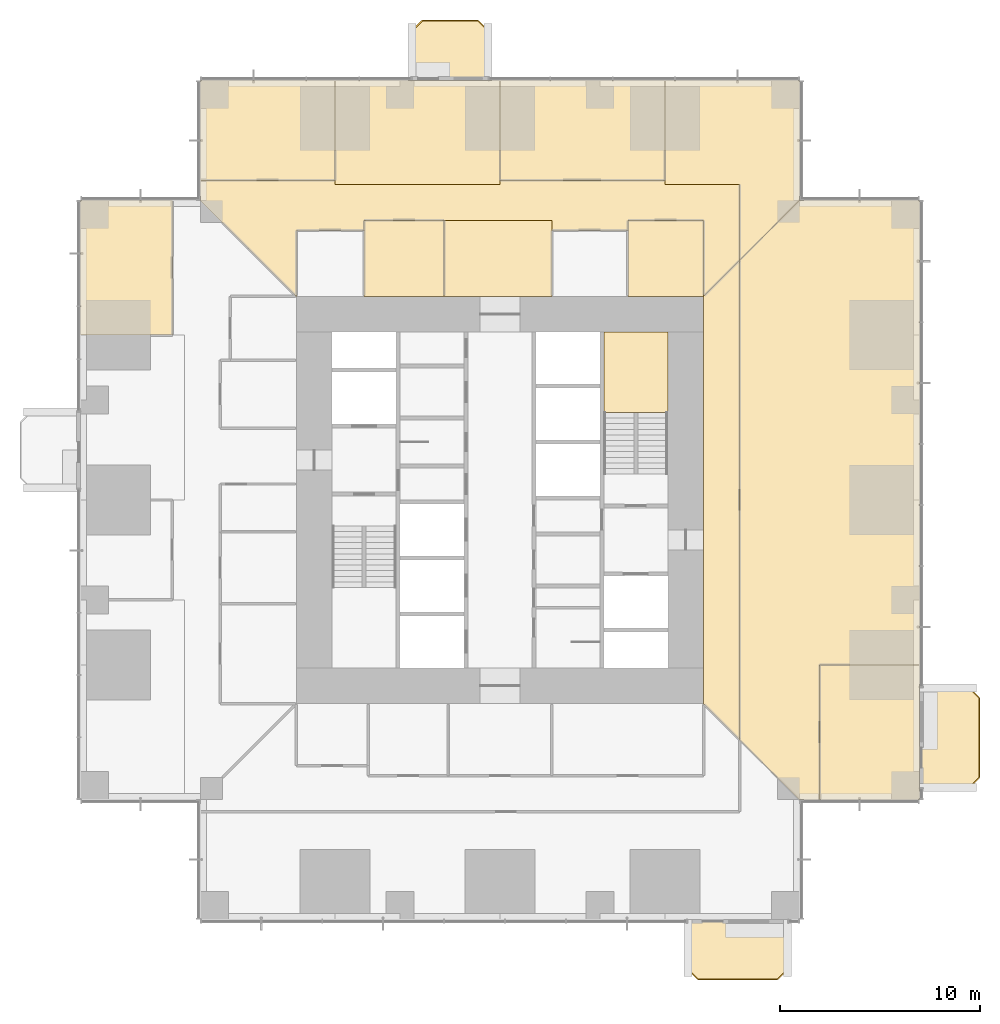
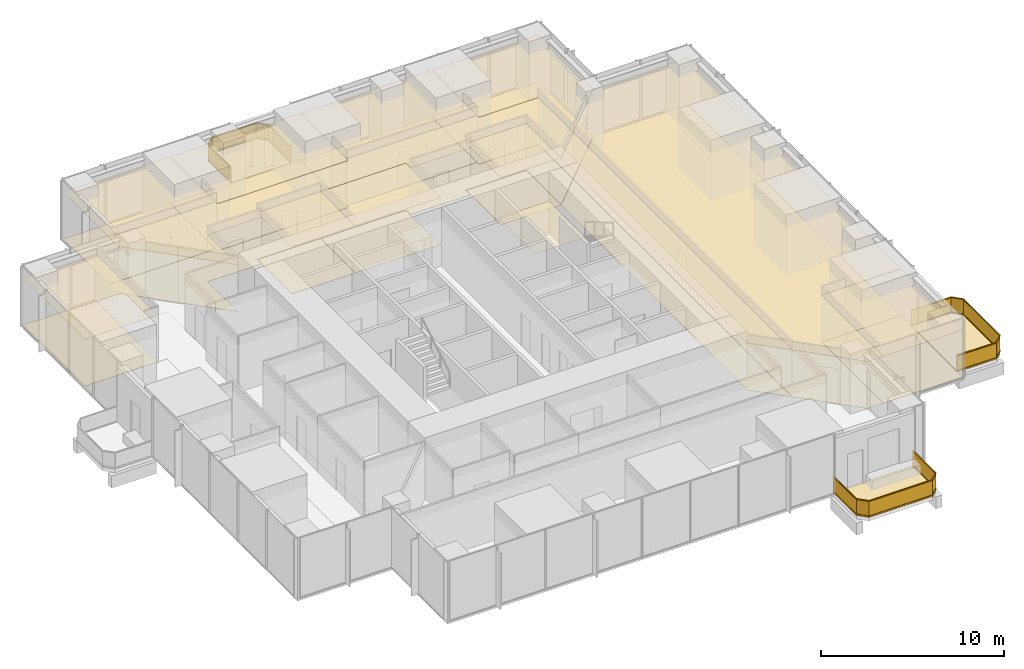
# One storey, part 14 of 15: 28 coverings, 3 railings.
"""IFC4 building model written with IfcOpenShell, lengths in metres."""

from ifc_helpers import new_model, si_unit, direction, frame, origin, origin_2d, place, context, subcontext, project, spatial, polyline, rectangle, outline, extrude, material, layer, layer_set, type_object, element, save


model = new_model("IFC4")

# Units and contexts
model_context = context("Model", 3, precision=1e-05, world=origin(), true_north=direction((0.0, 1.0)))
body_context = subcontext(model_context, "Body", "Model", "MODEL_VIEW")
ifc_project = project(units=[si_unit("LENGTHUNIT", "METRE"), si_unit("AREAUNIT", "SQUARE_METRE"), si_unit("VOLUMEUNIT", "CUBIC_METRE"), si_unit("PLANEANGLEUNIT", "RADIAN"), si_unit("MASSUNIT", "GRAM", prefix="KILO")], contexts=[model_context])

# Site, building, storey
site_placement = place(None, origin())
site = spatial("IfcSite", under=ifc_project, at=site_placement, CompositionType="ELEMENT")
building_placement = place(site_placement, origin())
building = spatial("IfcBuilding", under=site, at=building_placement, Name="Svetlomir Tower", CompositionType="ELEMENT")
storey_placement = place(building_placement, frame((0.0, 0.0, 34.5)))
storey = spatial("IfcBuildingStorey", under=building, at=storey_placement, Name="L07", CompositionType="ELEMENT", Elevation=34.5)

# Railings
ifc_material_1 = material(Name="Bronze anodised aluminium and laminated glass", Category="aluminium")
railing_type = type_object("IfcRailingType", Name="BALCONY GUARD GR1 1100", PredefinedType="GUARDRAIL", material=ifc_material_1)
railing_1_placement = place(storey_placement, frame((30.39990234375, 0.0, 0.0)))
element("IfcRailing", 1, at=railing_1_placement, inside=storey, type_object=railing_type, Name="Balcony guard S L07", PredefinedType="GUARDRAIL", context=body_context, shape_type="SweptSolid", body=[
    extrude(rectangle(XDim=0.06005859375, YDim=0.10009765625, at=origin_2d()), frame((0.0, 0.0, 0.050048828125), z_axis=(0.0, -1.0, 0.0), x_axis=(1.0, 0.0, 0.0)), (0.0, 0.0, 1.0), 2.5),
    extrude(rectangle(XDim=0.021484375, YDim=0.960205078125, at=origin_2d()), frame((0.0, 0.0, 0.580078125), z_axis=(0.0, -1.0, 0.0), x_axis=(1.0, 0.0, 0.0)), (0.0, 0.0, 1.0), 2.5),
    extrude(rectangle(XDim=0.06005859375, YDim=0.0400390625, at=origin_2d()), frame((0.0, 0.0, 1.080078125), z_axis=(0.0, -1.0, 0.0), x_axis=(1.0, 0.0, 0.0)), (0.0, 0.0, 1.0), 2.5),
    extrude(rectangle(XDim=0.06005859375, YDim=0.10009765625, at=origin_2d()), frame((0.0, -2.5, 0.050048828125), z_axis=(0.707106781187, -0.707106781187, 0.0), x_axis=(0.707106781187, 0.707106781187, 0.0)), (0.0, 0.0, 1.0), 0.70703125),
    extrude(rectangle(XDim=0.021484375, YDim=0.960205078125, at=origin_2d()), frame((0.0, -2.5, 0.580078125), z_axis=(0.707106781187, -0.707106781187, 0.0), x_axis=(0.707106781187, 0.707106781187, 0.0)), (0.0, 0.0, 1.0), 0.70703125),
    extrude(rectangle(XDim=0.06005859375, YDim=0.0400390625, at=origin_2d()), frame((0.0, -2.5, 1.080078125), z_axis=(0.707106781187, -0.707106781187, 0.0), x_axis=(0.707106781187, 0.707106781187, 0.0)), (0.0, 0.0, 1.0), 0.70703125),
    extrude(rectangle(XDim=0.06005859375, YDim=0.10009765625, at=origin_2d()), frame((0.5, -3.0, 0.050048828125), z_axis=(1.0, 0.0, 0.0), x_axis=(0.0, 1.0, 0.0)), (0.0, 0.0, 1.0), 4.0),
    extrude(rectangle(XDim=0.021484375, YDim=0.960205078125, at=origin_2d()), frame((0.5, -3.0, 0.580078125), z_axis=(1.0, 0.0, 0.0), x_axis=(0.0, 1.0, 0.0)), (0.0, 0.0, 1.0), 4.0),
    extrude(rectangle(XDim=0.06005859375, YDim=0.0400390625, at=origin_2d()), frame((0.5, -3.0, 1.080078125), z_axis=(1.0, 0.0, 0.0), x_axis=(0.0, 1.0, 0.0)), (0.0, 0.0, 1.0), 4.0),
    extrude(rectangle(XDim=0.06005859375, YDim=0.10009765625, at=origin_2d()), frame((4.5, -3.0, 0.050048828125), z_axis=(0.707106781187, 0.707106781187, 0.0), x_axis=(-0.707106781187, 0.707106781187, 0.0)), (0.0, 0.0, 1.0), 0.70703125),
    extrude(rectangle(XDim=0.021484375, YDim=0.960205078125, at=origin_2d()), frame((4.5, -3.0, 0.580078125), z_axis=(0.707106781187, 0.707106781187, 0.0), x_axis=(-0.707106781187, 0.707106781187, 0.0)), (0.0, 0.0, 1.0), 0.70703125),
    extrude(rectangle(XDim=0.06005859375, YDim=0.0400390625, at=origin_2d()), frame((4.5, -3.0, 1.080078125), z_axis=(0.707106781187, 0.707106781187, 0.0), x_axis=(-0.707106781187, 0.707106781187, 0.0)), (0.0, 0.0, 1.0), 0.70703125),
    extrude(rectangle(XDim=0.06005859375, YDim=0.10009765625, at=origin_2d()), frame((5.0, -2.5, 0.050048828125), z_axis=(0.0, 1.0, 0.0), x_axis=(-1.0, 0.0, 0.0)), (0.0, 0.0, 1.0), 2.5),
    extrude(rectangle(XDim=0.021484375, YDim=0.960205078125, at=origin_2d()), frame((5.0, -2.5, 0.580078125), z_axis=(0.0, 1.0, 0.0), x_axis=(-1.0, 0.0, 0.0)), (0.0, 0.0, 1.0), 2.5),
    extrude(rectangle(XDim=0.06005859375, YDim=0.0400390625, at=origin_2d()), frame((5.0, -2.5, 1.080078125), z_axis=(0.0, 1.0, 0.0), x_axis=(-1.0, 0.0, 0.0)), (0.0, 0.0, 1.0), 2.5),
])
railing_2_placement = place(storey_placement, frame((42.0, 6.60009765625, 0.0)))
element("IfcRailing", 2, at=railing_2_placement, inside=storey, type_object=railing_type, Name="Balcony guard E L07", PredefinedType="GUARDRAIL", context=body_context, shape_type="SweptSolid", body=[
    extrude(rectangle(XDim=0.06005859375, YDim=0.10009765625, at=origin_2d()), frame((0.0, 0.0, 0.050048828125), z_axis=(1.0, 0.0, 0.0), x_axis=(0.0, 1.0, 0.0)), (0.0, 0.0, 1.0), 2.5),
    extrude(rectangle(XDim=0.021484375, YDim=0.960205078125, at=origin_2d()), frame((0.0, 0.0, 0.580078125), z_axis=(1.0, 0.0, 0.0), x_axis=(0.0, 1.0, 0.0)), (0.0, 0.0, 1.0), 2.5),
    extrude(rectangle(XDim=0.06005859375, YDim=0.0400390625, at=origin_2d()), frame((0.0, 0.0, 1.080078125), z_axis=(1.0, 0.0, 0.0), x_axis=(0.0, 1.0, 0.0)), (0.0, 0.0, 1.0), 2.5),
    extrude(rectangle(XDim=0.06005859375, YDim=0.10009765625, at=origin_2d()), frame((2.5, 0.0, 0.050048828125), z_axis=(0.707106781187, 0.707106781187, 0.0), x_axis=(-0.707106781187, 0.707106781187, 0.0)), (0.0, 0.0, 1.0), 0.70703125),
    extrude(rectangle(XDim=0.021484375, YDim=0.960205078125, at=origin_2d()), frame((2.5, 0.0, 0.580078125), z_axis=(0.707106781187, 0.707106781187, 0.0), x_axis=(-0.707106781187, 0.707106781187, 0.0)), (0.0, 0.0, 1.0), 0.70703125),
    extrude(rectangle(XDim=0.06005859375, YDim=0.0400390625, at=origin_2d()), frame((2.5, 0.0, 1.080078125), z_axis=(0.707106781187, 0.707106781187, 0.0), x_axis=(-0.707106781187, 0.707106781187, 0.0)), (0.0, 0.0, 1.0), 0.70703125),
    extrude(rectangle(XDim=0.06005859375, YDim=0.10009765625, at=origin_2d()), frame((3.0, 0.5, 0.050048828125), z_axis=(0.0, 1.0, 0.0), x_axis=(-1.0, 0.0, 0.0)), (0.0, 0.0, 1.0), 4.0),
    extrude(rectangle(XDim=0.021484375, YDim=0.960205078125, at=origin_2d()), frame((3.0, 0.5, 0.580078125), z_axis=(0.0, 1.0, 0.0), x_axis=(-1.0, 0.0, 0.0)), (0.0, 0.0, 1.0), 4.0),
    extrude(rectangle(XDim=0.06005859375, YDim=0.0400390625, at=origin_2d()), frame((3.0, 0.5, 1.080078125), z_axis=(0.0, 1.0, 0.0), x_axis=(-1.0, 0.0, 0.0)), (0.0, 0.0, 1.0), 4.0),
    extrude(rectangle(XDim=0.06005859375, YDim=0.10009765625, at=origin_2d()), frame((3.0, 4.5, 0.050048828125), z_axis=(-0.707106781187, 0.707106781187, 0.0), x_axis=(-0.707106781187, -0.707106781187, 0.0)), (0.0, 0.0, 1.0), 0.70703125),
    extrude(rectangle(XDim=0.021484375, YDim=0.960205078125, at=origin_2d()), frame((3.0, 4.5, 0.580078125), z_axis=(-0.707106781187, 0.707106781187, 0.0), x_axis=(-0.707106781187, -0.707106781187, 0.0)), (0.0, 0.0, 1.0), 0.70703125),
    extrude(rectangle(XDim=0.06005859375, YDim=0.0400390625, at=origin_2d()), frame((3.0, 4.5, 1.080078125), z_axis=(-0.707106781187, 0.707106781187, 0.0), x_axis=(-0.707106781187, -0.707106781187, 0.0)), (0.0, 0.0, 1.0), 0.70703125),
    extrude(rectangle(XDim=0.06005859375, YDim=0.10009765625, at=origin_2d()), frame((2.5, 5.0, 0.050048828125), z_axis=(-1.0, 0.0, 0.0), x_axis=(0.0, -1.0, 0.0)), (0.0, 0.0, 1.0), 2.5),
    extrude(rectangle(XDim=0.021484375, YDim=0.960205078125, at=origin_2d()), frame((2.5, 5.0, 0.580078125), z_axis=(-1.0, 0.0, 0.0), x_axis=(0.0, -1.0, 0.0)), (0.0, 0.0, 1.0), 2.5),
    extrude(rectangle(XDim=0.06005859375, YDim=0.0400390625, at=origin_2d()), frame((2.5, 5.0, 1.080078125), z_axis=(-1.0, 0.0, 0.0), x_axis=(0.0, -1.0, 0.0)), (0.0, 0.0, 1.0), 2.5),
])
railing_3_placement = place(storey_placement, frame((20.39990234375, 42.0, 0.0)))
element("IfcRailing", 3, at=railing_3_placement, inside=storey, type_object=railing_type, Name="Balcony guard N L07", PredefinedType="GUARDRAIL", context=body_context, shape_type="SweptSolid", body=[
    extrude(rectangle(XDim=0.06005859375, YDim=0.10009765625, at=origin_2d()), frame((0.0, 0.0, 0.050048828125), z_axis=(0.0, 1.0, 0.0), x_axis=(-1.0, 0.0, 0.0)), (0.0, 0.0, 1.0), 2.5),
    extrude(rectangle(XDim=0.021484375, YDim=0.960205078125, at=origin_2d()), frame((0.0, 0.0, 0.580078125), z_axis=(0.0, 1.0, 0.0), x_axis=(-1.0, 0.0, 0.0)), (0.0, 0.0, 1.0), 2.5),
    extrude(rectangle(XDim=0.06005859375, YDim=0.0400390625, at=origin_2d()), frame((0.0, 0.0, 1.080078125), z_axis=(0.0, 1.0, 0.0), x_axis=(-1.0, 0.0, 0.0)), (0.0, 0.0, 1.0), 2.5),
    extrude(rectangle(XDim=0.06005859375, YDim=0.10009765625, at=origin_2d()), frame((0.0, 2.5, 0.050048828125), z_axis=(-0.707106781187, 0.707106781187, 0.0), x_axis=(-0.707106781187, -0.707106781187, 0.0)), (0.0, 0.0, 1.0), 0.70703125),
    extrude(rectangle(XDim=0.021484375, YDim=0.960205078125, at=origin_2d()), frame((0.0, 2.5, 0.580078125), z_axis=(-0.707106781187, 0.707106781187, 0.0), x_axis=(-0.707106781187, -0.707106781187, 0.0)), (0.0, 0.0, 1.0), 0.70703125),
    extrude(rectangle(XDim=0.06005859375, YDim=0.0400390625, at=origin_2d()), frame((0.0, 2.5, 1.080078125), z_axis=(-0.707106781187, 0.707106781187, 0.0), x_axis=(-0.707106781187, -0.707106781187, 0.0)), (0.0, 0.0, 1.0), 0.70703125),
    extrude(rectangle(XDim=0.06005859375, YDim=0.10009765625, at=origin_2d()), frame((-0.5, 3.0, 0.050048828125), z_axis=(-1.0, 0.0, 0.0), x_axis=(0.0, -1.0, 0.0)), (0.0, 0.0, 1.0), 2.7998046875),
    extrude(rectangle(XDim=0.021484375, YDim=0.960205078125, at=origin_2d()), frame((-0.5, 3.0, 0.580078125), z_axis=(-1.0, 0.0, 0.0), x_axis=(0.0, -1.0, 0.0)), (0.0, 0.0, 1.0), 2.7998046875),
    extrude(rectangle(XDim=0.06005859375, YDim=0.0400390625, at=origin_2d()), frame((-0.5, 3.0, 1.080078125), z_axis=(-1.0, 0.0, 0.0), x_axis=(0.0, -1.0, 0.0)), (0.0, 0.0, 1.0), 2.7998046875),
    extrude(rectangle(XDim=0.06005859375, YDim=0.10009765625, at=origin_2d()), frame((-3.2998046875, 3.0, 0.050048828125), z_axis=(-0.707106781187, -0.707106781187, 0.0), x_axis=(0.707106781187, -0.707106781187, 0.0)), (0.0, 0.0, 1.0), 0.70703125),
    extrude(rectangle(XDim=0.021484375, YDim=0.960205078125, at=origin_2d()), frame((-3.2998046875, 3.0, 0.580078125), z_axis=(-0.707106781187, -0.707106781187, 0.0), x_axis=(0.707106781187, -0.707106781187, 0.0)), (0.0, 0.0, 1.0), 0.70703125),
    extrude(rectangle(XDim=0.06005859375, YDim=0.0400390625, at=origin_2d()), frame((-3.2998046875, 3.0, 1.080078125), z_axis=(-0.707106781187, -0.707106781187, 0.0), x_axis=(0.707106781187, -0.707106781187, 0.0)), (0.0, 0.0, 1.0), 0.70703125),
    extrude(rectangle(XDim=0.06005859375, YDim=0.10009765625, at=origin_2d()), frame((-3.7998046875, 2.5, 0.050048828125), z_axis=(0.0, -1.0, 0.0), x_axis=(1.0, 0.0, 0.0)), (0.0, 0.0, 1.0), 2.5),
    extrude(rectangle(XDim=0.021484375, YDim=0.960205078125, at=origin_2d()), frame((-3.7998046875, 2.5, 0.580078125), z_axis=(0.0, -1.0, 0.0), x_axis=(1.0, 0.0, 0.0)), (0.0, 0.0, 1.0), 2.5),
    extrude(rectangle(XDim=0.06005859375, YDim=0.0400390625, at=origin_2d()), frame((-3.7998046875, 2.5, 1.080078125), z_axis=(0.0, -1.0, 0.0), x_axis=(1.0, 0.0, 0.0)), (0.0, 0.0, 1.0), 2.5),
])

# Coverings
ifc_material_2 = material(Name="Granite paving slabs on pedestals", Category="masonry")
ifc_layer_1 = layer(ifc_material_2, 0.0400390625)
ifc_layer_set_1 = layer_set([ifc_layer_1], Name="Granite paving slabs on pedestals")
covering_type_1 = type_object("IfcCoveringType", Name="BALCONY PAVING 40", PredefinedType="USERDEFINED", material=ifc_layer_set_1)
covering_1_placement = place(storey_placement, origin())
element("IfcCovering", 4, at=covering_1_placement, inside=storey, type_object=covering_type_1, Name="Balcony paving S L07", ObjectType="BALCONY PAVING", PredefinedType="USERDEFINED", context=body_context, shape_type="SweptSolid", body=[
    extrude(outline(polyline([(30.39990234375, -2.5), (30.89990234375, -3.0), (34.89990234375, -3.0), (35.39990234375, -2.5), (35.39990234375, 0.0), (30.39990234375, 0.0), (30.39990234375, -2.5)])), origin(), (0.0, 0.0, 1.0), 0.0400390625),
])
covering_2_placement = place(storey_placement, origin())
element("IfcCovering", 5, at=covering_2_placement, inside=storey, type_object=covering_type_1, Name="Balcony paving E L07", ObjectType="BALCONY PAVING", PredefinedType="USERDEFINED", context=body_context, shape_type="SweptSolid", body=[
    extrude(outline(polyline([(42.0, 6.60009765625), (44.5, 6.60009765625), (45.0, 7.10009765625), (45.0, 11.10009765625), (44.5, 11.60009765625), (42.0, 11.60009765625), (42.0, 6.60009765625)])), origin(), (0.0, 0.0, 1.0), 0.0400390625),
])
covering_3_placement = place(storey_placement, origin())
element("IfcCovering", 6, at=covering_3_placement, inside=storey, type_object=covering_type_1, Name="Balcony paving N L07", ObjectType="BALCONY PAVING", PredefinedType="USERDEFINED", context=body_context, shape_type="SweptSolid", body=[
    extrude(outline(polyline([(16.60009765625, 42.0), (20.39990234375, 42.0), (20.39990234375, 44.5), (19.89990234375, 45.0), (17.10009765625, 45.0), (16.60009765625, 44.5), (16.60009765625, 42.0)])), origin(), (0.0, 0.0, 1.0), 0.0400390625),
])
ifc_material_3 = material(Name="Carpet tile", Category="textile")
ifc_layer_2 = layer(ifc_material_3, 0.010009765625)
ifc_layer_set_2 = layer_set([ifc_layer_2], Name="Carpet tile")
covering_type_2 = type_object("IfcCoveringType", Name="CARPET TILE FLOOR 10", PredefinedType="FLOORING", material=ifc_layer_set_2)
covering_4_placement = place(storey_placement, origin())
element("IfcCovering", 7, at=covering_4_placement, inside=storey, type_object=covering_type_2, Name="Floor finish L07-17", PredefinedType="FLOORING", context=body_context, shape_type="SweptSolid", body=[
    extrude(outline(polyline([(37.0, 6.0), (42.0, 6.0), (42.0, 12.75), (37.0, 12.75), (37.0, 6.0)])), origin(), (0.0, 0.0, 1.0), 0.010009765625),
])
covering_5_placement = place(storey_placement, origin())
element("IfcCovering", 8, at=covering_5_placement, inside=storey, type_object=covering_type_2, Name="Floor finish L07-19", PredefinedType="FLOORING", context=body_context, shape_type="SweptSolid", body=[
    extrude(outline(polyline([(14.199951171875, 31.199951171875), (18.199951171875, 31.199951171875), (18.199951171875, 35.0), (14.199951171875, 35.0), (14.199951171875, 31.199951171875)])), origin(), (0.0, 0.0, 1.0), 0.010009765625),
])
covering_6_placement = place(storey_placement, origin())
element("IfcCovering", 9, at=covering_6_placement, inside=storey, type_object=covering_type_2, Name="Floor finish L07-21", PredefinedType="FLOORING", context=body_context, shape_type="SweptSolid", body=[
    extrude(outline(polyline([(27.39990234375, 31.199951171875), (31.199951171875, 31.199951171875), (31.199951171875, 35.0), (27.39990234375, 35.0), (27.39990234375, 31.199951171875)])), origin(), (0.0, 0.0, 1.0), 0.010009765625),
])
covering_7_placement = place(storey_placement, origin())
element("IfcCovering", 10, at=covering_7_placement, inside=storey, type_object=covering_type_2, Name="Floor finish L07-22", PredefinedType="FLOORING", context=body_context, shape_type="SweptSolid", body=[
    extrude(outline(polyline([(6.0, 37.0), (12.75, 37.0), (12.75, 42.0), (6.0, 42.0), (6.0, 37.0)])), origin(), (0.0, 0.0, 1.0), 0.010009765625),
])
covering_8_placement = place(storey_placement, origin())
element("IfcCovering", 11, at=covering_8_placement, inside=storey, type_object=covering_type_2, Name="Floor finish L07-23", PredefinedType="FLOORING", context=body_context, shape_type="SweptSolid", body=[
    extrude(outline(polyline([(21.0, 37.0), (29.25, 37.0), (29.25, 42.0), (21.0, 42.0), (21.0, 37.0)])), origin(), (0.0, 0.0, 1.0), 0.010009765625),
])
covering_9_placement = place(storey_placement, origin())
element("IfcCovering", 12, at=covering_9_placement, inside=storey, type_object=covering_type_2, Name="Floor finish L07-29", PredefinedType="FLOORING", context=body_context, shape_type="SweptSolid", body=[
    extrude(outline(polyline([(0.0, 29.25), (4.60009765625, 29.25), (4.60009765625, 36.0), (0.0, 36.0), (0.0, 29.25)])), origin(), (0.0, 0.0, 1.0), 0.010009765625),
])
covering_10_placement = place(storey_placement, origin())
element("IfcCovering", 13, at=covering_10_placement, inside=storey, type_object=covering_type_2, Name="Floor finish L07-31", PredefinedType="FLOORING", context=body_context, shape_type="SweptSolid", body=[
    extrude(outline(polyline([(33.0, 9.0), (31.199951171875, 10.800048828125), (31.199951171875, 31.199951171875), (33.0, 33.0), (33.0, 9.0)])), origin(), (0.0, 0.0, 1.0), 0.010009765625),
])
covering_11_placement = place(storey_placement, origin())
element("IfcCovering", 14, at=covering_11_placement, inside=storey, type_object=covering_type_2, Name="Floor finish L07-32", PredefinedType="FLOORING", context=body_context, shape_type="SweptSolid", body=[
    extrude(outline(polyline([(6.0, 37.0), (12.75, 37.0), (12.75, 36.800048828125), (21.0, 36.800048828125), (21.0, 37.0), (29.25, 37.0), (29.25, 36.800048828125), (33.0, 36.800048828125), (33.0, 33.0), (31.199951171875, 31.199951171875), (31.199951171875, 35.0), (27.39990234375, 35.0), (27.39990234375, 34.5), (23.60009765625, 34.5), (23.60009765625, 35.0), (14.199951171875, 35.0), (14.199951171875, 34.5), (10.800048828125, 34.5), (10.800048828125, 31.199951171875), (6.0, 36.0), (6.0, 37.0)])), origin(), (0.0, 0.0, 1.0), 0.010009765625),
])
covering_12_placement = place(storey_placement, origin())
element("IfcCovering", 15, at=covering_12_placement, inside=storey, type_object=covering_type_2, Name="Floor finish L07-36", PredefinedType="FLOORING", context=body_context, shape_type="SweptSolid", body=[
    extrude(outline(polyline([(33.0, 33.0), (36.0, 36.0), (42.0, 36.0), (42.0, 12.75), (37.0, 12.75), (37.0, 6.0), (36.0, 6.0), (33.0, 9.0), (33.0, 33.0)])), origin(), (0.0, 0.0, 1.0), 0.010009765625),
])
covering_13_placement = place(storey_placement, origin())
element("IfcCovering", 16, at=covering_13_placement, inside=storey, type_object=covering_type_2, Name="Floor finish L07-37", PredefinedType="FLOORING", context=body_context, shape_type="SweptSolid", body=[
    extrude(outline(polyline([(33.0, 36.800048828125), (29.25, 36.800048828125), (29.25, 42.0), (36.0, 42.0), (36.0, 36.0), (33.0, 33.0), (33.0, 36.800048828125)])), origin(), (0.0, 0.0, 1.0), 0.010009765625),
])
covering_14_placement = place(storey_placement, origin())
element("IfcCovering", 17, at=covering_14_placement, inside=storey, type_object=covering_type_2, Name="Floor finish L07-38", PredefinedType="FLOORING", context=body_context, shape_type="SweptSolid", body=[
    extrude(outline(polyline([(21.0, 42.0), (21.0, 36.800048828125), (12.75, 36.800048828125), (12.75, 42.0), (21.0, 42.0)])), origin(), (0.0, 0.0, 1.0), 0.010009765625),
])
covering_15_placement = place(storey_placement, origin())
element("IfcCovering", 18, at=covering_15_placement, inside=storey, type_object=covering_type_2, Name="Floor finish L07-39", PredefinedType="FLOORING", context=body_context, shape_type="SweptSolid", body=[
    extrude(outline(polyline([(18.199951171875, 31.199951171875), (18.199951171875, 35.0), (23.60009765625, 35.0), (23.60009765625, 31.199951171875), (18.199951171875, 31.199951171875)])), origin(), (0.0, 0.0, 1.0), 0.010009765625),
])
ifc_material_4 = material(Name="Studded rubber floor finish", Category="rubber")
ifc_layer_3 = layer(ifc_material_4, 0.006103515625)
ifc_layer_set_3 = layer_set([ifc_layer_3], Name="Studded rubber floor finish")
covering_type_3 = type_object("IfcCoveringType", Name="RUBBER LANDING FINISH 6", PredefinedType="FLOORING", material=ifc_layer_set_3)
covering_16_placement = place(storey_placement, frame((0.0, 0.0, 2.0)))
element("IfcCovering", 19, at=covering_16_placement, inside=storey, type_object=covering_type_3, Name="Stair S2 landing finish L07", PredefinedType="FLOORING", context=body_context, shape_type="SweptSolid", body=[
    extrude(outline(polyline([(26.199951171875, 25.3798828125), (29.39990234375, 25.3798828125), (29.39990234375, 29.39990234375), (26.199951171875, 29.39990234375), (26.199951171875, 25.3798828125)])), origin(), (0.0, 0.0, 1.0), 0.006103515625),
])
ifc_material_5 = material(Name="Mineral fibre ceiling tile", Category="mineral")
ifc_layer_4 = layer(ifc_material_5, 0.02001953125)
ifc_layer_set_4 = layer_set([ifc_layer_4], Name="Mineral fibre ceiling tile")
covering_type_4 = type_object("IfcCoveringType", Name="SUSPENDED CEILING 20", PredefinedType="CEILING", material=ifc_layer_set_4)
covering_17_placement = place(storey_placement, frame((0.0, 0.0, 3.1298828125)))
element("IfcCovering", 20, at=covering_17_placement, inside=storey, type_object=covering_type_4, Name="Ceiling L07-17", PredefinedType="CEILING", context=body_context, shape_type="SweptSolid", body=[
    extrude(outline(polyline([(37.0, 6.0), (42.0, 6.0), (42.0, 12.75), (37.0, 12.75), (37.0, 6.0)])), origin(), (0.0, 0.0, 1.0), 0.02001953125),
])
covering_18_placement = place(storey_placement, frame((0.0, 0.0, 3.1298828125)))
element("IfcCovering", 21, at=covering_18_placement, inside=storey, type_object=covering_type_4, Name="Ceiling L07-19", PredefinedType="CEILING", context=body_context, shape_type="SweptSolid", body=[
    extrude(outline(polyline([(14.199951171875, 31.199951171875), (18.199951171875, 31.199951171875), (18.199951171875, 35.0), (14.199951171875, 35.0), (14.199951171875, 31.199951171875)])), origin(), (0.0, 0.0, 1.0), 0.02001953125),
])
covering_19_placement = place(storey_placement, frame((0.0, 0.0, 3.1298828125)))
element("IfcCovering", 22, at=covering_19_placement, inside=storey, type_object=covering_type_4, Name="Ceiling L07-21", PredefinedType="CEILING", context=body_context, shape_type="SweptSolid", body=[
    extrude(outline(polyline([(27.39990234375, 31.199951171875), (31.199951171875, 31.199951171875), (31.199951171875, 35.0), (27.39990234375, 35.0), (27.39990234375, 31.199951171875)])), origin(), (0.0, 0.0, 1.0), 0.02001953125),
])
covering_20_placement = place(storey_placement, frame((0.0, 0.0, 3.1298828125)))
element("IfcCovering", 23, at=covering_20_placement, inside=storey, type_object=covering_type_4, Name="Ceiling L07-22", PredefinedType="CEILING", context=body_context, shape_type="SweptSolid", body=[
    extrude(outline(polyline([(6.0, 37.0), (12.75, 37.0), (12.75, 42.0), (6.0, 42.0), (6.0, 37.0)])), origin(), (0.0, 0.0, 1.0), 0.02001953125),
])
covering_21_placement = place(storey_placement, frame((0.0, 0.0, 3.1298828125)))
element("IfcCovering", 24, at=covering_21_placement, inside=storey, type_object=covering_type_4, Name="Ceiling L07-23", PredefinedType="CEILING", context=body_context, shape_type="SweptSolid", body=[
    extrude(outline(polyline([(21.0, 37.0), (29.25, 37.0), (29.25, 42.0), (21.0, 42.0), (21.0, 37.0)])), origin(), (0.0, 0.0, 1.0), 0.02001953125),
])
covering_22_placement = place(storey_placement, frame((0.0, 0.0, 3.1298828125)))
element("IfcCovering", 25, at=covering_22_placement, inside=storey, type_object=covering_type_4, Name="Ceiling L07-29", PredefinedType="CEILING", context=body_context, shape_type="SweptSolid", body=[
    extrude(outline(polyline([(0.0, 29.25), (4.60009765625, 29.25), (4.60009765625, 36.0), (0.0, 36.0), (0.0, 29.25)])), origin(), (0.0, 0.0, 1.0), 0.02001953125),
])
covering_23_placement = place(storey_placement, frame((0.0, 0.0, 3.1298828125)))
element("IfcCovering", 26, at=covering_23_placement, inside=storey, type_object=covering_type_4, Name="Ceiling L07-31", PredefinedType="CEILING", context=body_context, shape_type="SweptSolid", body=[
    extrude(outline(polyline([(33.0, 9.0), (31.199951171875, 10.800048828125), (31.199951171875, 31.199951171875), (33.0, 33.0), (33.0, 9.0)])), origin(), (0.0, 0.0, 1.0), 0.02001953125),
])
covering_24_placement = place(storey_placement, frame((0.0, 0.0, 3.1298828125)))
element("IfcCovering", 27, at=covering_24_placement, inside=storey, type_object=covering_type_4, Name="Ceiling L07-32", PredefinedType="CEILING", context=body_context, shape_type="SweptSolid", body=[
    extrude(outline(polyline([(6.0, 37.0), (12.75, 37.0), (12.75, 36.800048828125), (21.0, 36.800048828125), (21.0, 37.0), (29.25, 37.0), (29.25, 36.800048828125), (33.0, 36.800048828125), (33.0, 33.0), (31.199951171875, 31.199951171875), (31.199951171875, 35.0), (27.39990234375, 35.0), (27.39990234375, 34.5), (23.60009765625, 34.5), (23.60009765625, 35.0), (14.199951171875, 35.0), (14.199951171875, 34.5), (10.800048828125, 34.5), (10.800048828125, 31.199951171875), (6.0, 36.0), (6.0, 37.0)])), origin(), (0.0, 0.0, 1.0), 0.02001953125),
])
covering_25_placement = place(storey_placement, frame((0.0, 0.0, 3.1298828125)))
element("IfcCovering", 28, at=covering_25_placement, inside=storey, type_object=covering_type_4, Name="Ceiling L07-36", PredefinedType="CEILING", context=body_context, shape_type="SweptSolid", body=[
    extrude(outline(polyline([(33.0, 33.0), (36.0, 36.0), (42.0, 36.0), (42.0, 12.75), (37.0, 12.75), (37.0, 6.0), (36.0, 6.0), (33.0, 9.0), (33.0, 33.0)])), origin(), (0.0, 0.0, 1.0), 0.02001953125),
])
covering_26_placement = place(storey_placement, frame((0.0, 0.0, 3.1298828125)))
element("IfcCovering", 29, at=covering_26_placement, inside=storey, type_object=covering_type_4, Name="Ceiling L07-37", PredefinedType="CEILING", context=body_context, shape_type="SweptSolid", body=[
    extrude(outline(polyline([(33.0, 36.800048828125), (29.25, 36.800048828125), (29.25, 42.0), (36.0, 42.0), (36.0, 36.0), (33.0, 33.0), (33.0, 36.800048828125)])), origin(), (0.0, 0.0, 1.0), 0.02001953125),
])
covering_27_placement = place(storey_placement, frame((0.0, 0.0, 3.1298828125)))
element("IfcCovering", 30, at=covering_27_placement, inside=storey, type_object=covering_type_4, Name="Ceiling L07-38", PredefinedType="CEILING", context=body_context, shape_type="SweptSolid", body=[
    extrude(outline(polyline([(21.0, 42.0), (21.0, 36.800048828125), (12.75, 36.800048828125), (12.75, 42.0), (21.0, 42.0)])), origin(), (0.0, 0.0, 1.0), 0.02001953125),
])
covering_28_placement = place(storey_placement, frame((0.0, 0.0, 3.1298828125)))
element("IfcCovering", 31, at=covering_28_placement, inside=storey, type_object=covering_type_4, Name="Ceiling L07-39", PredefinedType="CEILING", context=body_context, shape_type="SweptSolid", body=[
    extrude(outline(polyline([(18.199951171875, 31.199951171875), (18.199951171875, 35.0), (23.60009765625, 35.0), (23.60009765625, 31.199951171875), (18.199951171875, 31.199951171875)])), origin(), (0.0, 0.0, 1.0), 0.02001953125),
])

save(model, "model.ifc")
